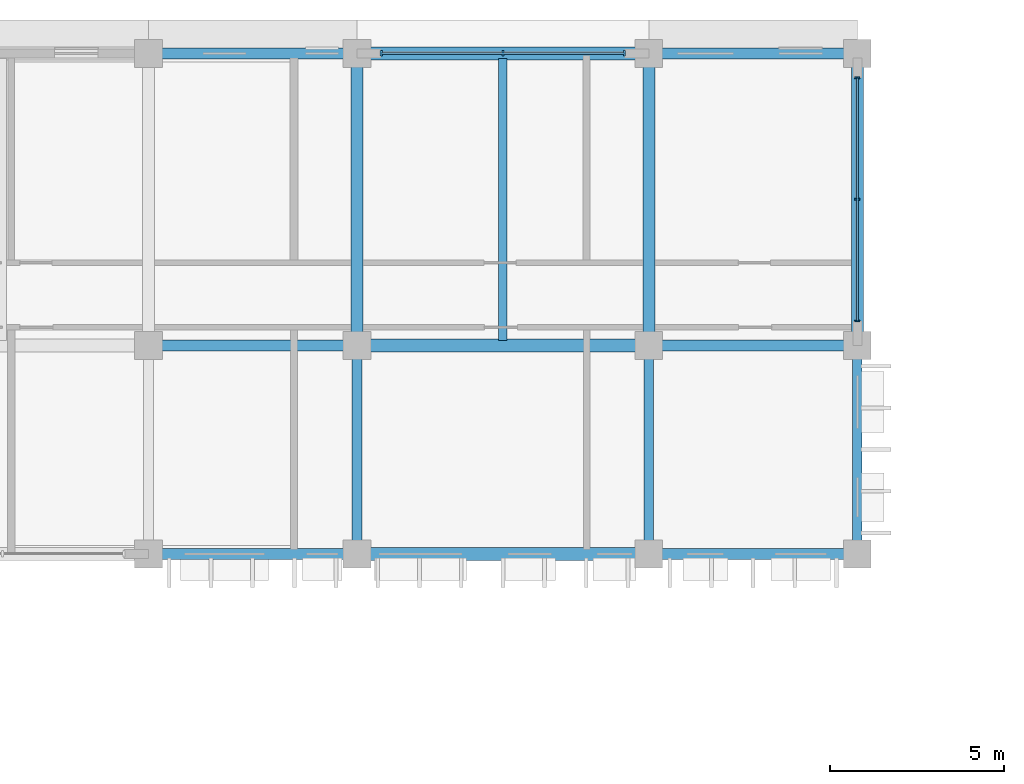
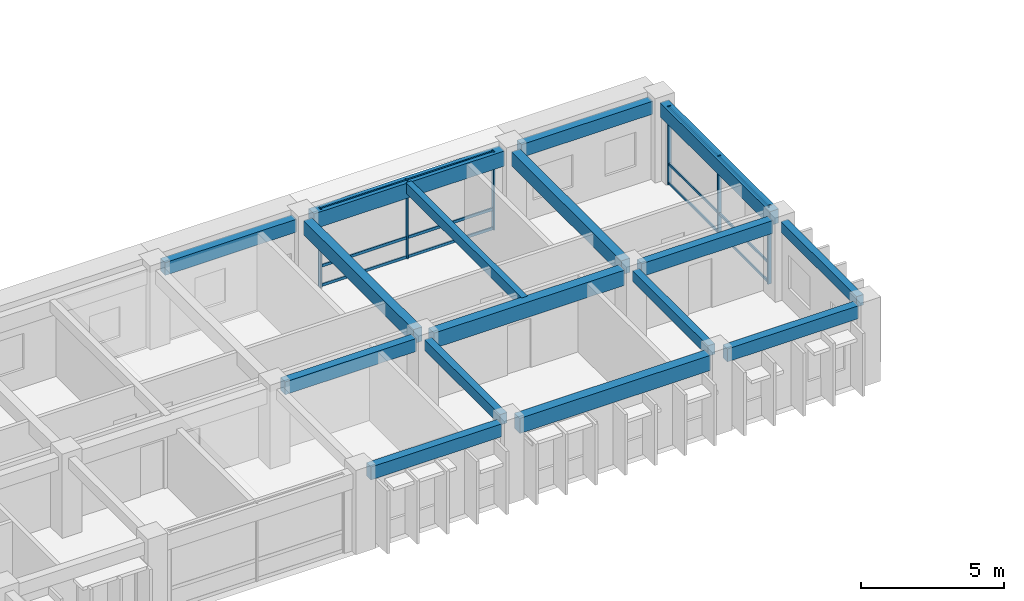
# One storey, part 27 of 88: 16 beams, 12 members, 2 elements without a shape of their own.
"""IFC4 building model written with IfcOpenShell, lengths in metres."""

from ifc_helpers import new_model, si_unit, direction, frame, origin, origin_2d, place, context, subcontext, project, spatial, rectangle, extrude, material, material_profile, profile_set, type_object, element, aggregate, save


model = new_model("IFC4")

# Units and contexts
model_context = context("Model", 3, precision=1e-05, world=origin(), true_north=direction((0.0, 1.0)))
body_context = subcontext(model_context, "Body", "Model", "MODEL_VIEW")
ifc_project = project(units=[si_unit("LENGTHUNIT", "METRE"), si_unit("AREAUNIT", "SQUARE_METRE"), si_unit("VOLUMEUNIT", "CUBIC_METRE"), si_unit("PLANEANGLEUNIT", "RADIAN"), si_unit("MASSUNIT", "GRAM", prefix="KILO"), si_unit("THERMODYNAMICTEMPERATUREUNIT", "KELVIN")], contexts=[model_context])

# Site, building, storey
site_placement = place(None, origin())
site = spatial("IfcSite", under=ifc_project, at=site_placement, CompositionType="ELEMENT")
building_placement = place(site_placement, origin())
building = spatial("IfcBuilding", under=site, at=building_placement, Name="Thalorik Housing Commons", CompositionType="ELEMENT")
storey_placement = place(building_placement, frame((0.0, 0.0, 4.5)))
storey = spatial("IfcBuildingStorey", under=building, at=storey_placement, Name="L01", CompositionType="ELEMENT", Elevation=4.5)

# Curtain wall, members
ifc_material_1 = material(Name="Anodised aluminium and solar-control low-E glass", Category="aluminium")
curtain_wall_type = type_object("IfcCurtainWallType", Name="ARC-CW-LOUNGE", PredefinedType="USERDEFINED", material=ifc_material_1)
curtain_wall_1_placement = place(storey_placement, origin())
curtain_wall_1 = element("IfcCurtainWall", 1, at=curtain_wall_1_placement, inside=storey, type_object=curtain_wall_type, Name="L01 Curtain Wall CW-RES-L01-A-002", ObjectType="CURTAIN WALL", PredefinedType="USERDEFINED")
ifc_material_2 = material(Name="Anodised aluminium 6063-T6", Category="aluminium")
ifc_material_profile_1 = material_profile(ifc_material_2, rectangle(XDim=0.054931640625, YDim=0.139892578125, at=origin_2d()), Name="ALU MUL 55x140", Category="aluminium")
ifc_profile_set_1 = profile_set([ifc_material_profile_1], Name="Anodised aluminium 6063-T6")
member_type_1 = type_object("IfcMemberType", Name="ARC-CW-MUL-55x140", PredefinedType="MULLION", material=ifc_profile_set_1)
member_1_placement = place(storey_placement, frame((57.60009765625, 115.89990234375, 0.0), z_axis=(0.0, 0.0, 1.0), x_axis=(0.0, 1.0, 0.0)))
member_1 = element("IfcMember", 2, at=member_1_placement, type_object=member_type_1, Name="CW-RES-L01-A-002 Mullion 1", PredefinedType="MULLION", context=body_context, shape_type="SweptSolid", body=[
    extrude(rectangle(XDim=0.054931640625, YDim=0.139892578125, at=origin_2d()), origin(), (0.0, 0.0, 1.0), 3.340087890625),
])
member_2_placement = place(storey_placement, frame((57.60009765625, 119.39990234375, 0.0), z_axis=(0.0, 0.0, 1.0), x_axis=(0.0, 1.0, 0.0)))
member_2 = element("IfcMember", 3, at=member_2_placement, type_object=member_type_1, Name="CW-RES-L01-A-002 Mullion 2", PredefinedType="MULLION", context=body_context, shape_type="SweptSolid", body=[
    extrude(rectangle(XDim=0.054931640625, YDim=0.139892578125, at=origin_2d()), origin(), (0.0, 0.0, 1.0), 3.340087890625),
])
member_3_placement = place(storey_placement, frame((57.60009765625, 122.89990234375, 0.0), z_axis=(0.0, 0.0, 1.0), x_axis=(0.0, 1.0, 0.0)))
member_3 = element("IfcMember", 4, at=member_3_placement, type_object=member_type_1, Name="CW-RES-L01-A-002 Mullion 3", PredefinedType="MULLION", context=body_context, shape_type="SweptSolid", body=[
    extrude(rectangle(XDim=0.054931640625, YDim=0.139892578125, at=origin_2d()), origin(), (0.0, 0.0, 1.0), 3.340087890625),
])

curtain_wall_2_placement = place(storey_placement, origin())
curtain_wall_2 = element("IfcCurtainWall", 5, at=curtain_wall_2_placement, inside=storey, type_object=curtain_wall_type, Name="L01 Curtain Wall CW-RES-L01-A-003", ObjectType="CURTAIN WALL", PredefinedType="USERDEFINED")
ifc_material_profile_2 = material_profile(ifc_material_2, rectangle(XDim=0.06005859375, YDim=0.159912109375, at=origin_2d()), Name="ALU MUL 60x160", Category="aluminium")
ifc_profile_set_2 = profile_set([ifc_material_profile_2], Name="Anodised aluminium 6063-T6")
member_type_2 = type_object("IfcMemberType", Name="ARC-CW-MUL-60x160", PredefinedType="MULLION", material=ifc_profile_set_2)
member_4_placement = place(storey_placement, frame((50.89990234375, 123.60009765625, 0.0), z_axis=(0.0, 0.0, 1.0), x_axis=(-1.0, 0.0, 0.0)))
member_4 = element("IfcMember", 6, at=member_4_placement, type_object=member_type_2, Name="CW-RES-L01-A-003 Mullion 1", PredefinedType="MULLION", context=body_context, shape_type="SweptSolid", body=[
    extrude(rectangle(XDim=0.06005859375, YDim=0.159912109375, at=origin_2d()), origin(), (0.0, 0.0, 1.0), 3.340087890625),
])
member_5_placement = place(storey_placement, frame((47.39990234375, 123.60009765625, 0.0), z_axis=(0.0, 0.0, 1.0), x_axis=(-1.0, 0.0, 0.0)))
member_5 = element("IfcMember", 7, at=member_5_placement, type_object=member_type_2, Name="CW-RES-L01-A-003 Mullion 2", PredefinedType="MULLION", context=body_context, shape_type="SweptSolid", body=[
    extrude(rectangle(XDim=0.06005859375, YDim=0.159912109375, at=origin_2d()), origin(), (0.0, 0.0, 1.0), 3.340087890625),
])
member_6_placement = place(storey_placement, frame((43.89990234375, 123.60009765625, 0.0), z_axis=(0.0, 0.0, 1.0), x_axis=(-1.0, 0.0, 0.0)))
member_6 = element("IfcMember", 8, at=member_6_placement, type_object=member_type_2, Name="CW-RES-L01-A-003 Mullion 3", PredefinedType="MULLION", context=body_context, shape_type="SweptSolid", body=[
    extrude(rectangle(XDim=0.06005859375, YDim=0.159912109375, at=origin_2d()), origin(), (0.0, 0.0, 1.0), 3.340087890625),
])

# Member
ifc_material_profile_3 = material_profile(ifc_material_2, rectangle(XDim=0.054931640625, YDim=0.10498046875, at=origin_2d()), Name="ALU TRN 55x105", Category="aluminium")
ifc_profile_set_3 = profile_set([ifc_material_profile_3], Name="Anodised aluminium 6063-T6")
member_type_3 = type_object("IfcMemberType", Name="ARC-CW-TRN-55x105", PredefinedType="USERDEFINED", material=ifc_profile_set_3)
member_7_placement = place(storey_placement, frame((57.60009765625, 115.89990234375, 0.054931640625), z_axis=(0.0, 1.0, 0.0), x_axis=(-1.0, 0.0, 0.0)))
member_7 = element("IfcMember", 9, at=member_7_placement, type_object=member_type_3, Name="CW-RES-L01-A-002 Transom 1", ObjectType="TRANSOM", PredefinedType="USERDEFINED", context=body_context, shape_type="SweptSolid", body=[
    extrude(rectangle(XDim=0.054931640625, YDim=0.10498046875, at=origin_2d()), origin(), (0.0, 0.0, 1.0), 7.0),
])

member_8_placement = place(storey_placement, frame((57.60009765625, 115.89990234375, 0.8798828125), z_axis=(0.0, 1.0, 0.0), x_axis=(-1.0, 0.0, 0.0)))
member_8 = element("IfcMember", 10, at=member_8_placement, type_object=member_type_3, Name="CW-RES-L01-A-002 Transom 2", ObjectType="TRANSOM", PredefinedType="USERDEFINED", context=body_context, shape_type="SweptSolid", body=[
    extrude(rectangle(XDim=0.054931640625, YDim=0.10498046875, at=origin_2d()), origin(), (0.0, 0.0, 1.0), 7.0),
])

member_9_placement = place(storey_placement, frame((57.60009765625, 115.89990234375, 3.284912109375), z_axis=(0.0, 1.0, 0.0), x_axis=(-1.0, 0.0, 0.0)))
member_9 = element("IfcMember", 11, at=member_9_placement, type_object=member_type_3, Name="CW-RES-L01-A-002 Transom 3", ObjectType="TRANSOM", PredefinedType="USERDEFINED", context=body_context, shape_type="SweptSolid", body=[
    extrude(rectangle(XDim=0.054931640625, YDim=0.10498046875, at=origin_2d()), origin(), (0.0, 0.0, 1.0), 7.0),
])

aggregate(curtain_wall_1, [member_1, member_2, member_3, member_7, member_8, member_9])

ifc_material_profile_4 = material_profile(ifc_material_2, rectangle(XDim=0.06005859375, YDim=0.1201171875, at=origin_2d()), Name="ALU TRN 60x120", Category="aluminium")
ifc_profile_set_4 = profile_set([ifc_material_profile_4], Name="Anodised aluminium 6063-T6")
member_type_4 = type_object("IfcMemberType", Name="ARC-CW-TRN-60x120", PredefinedType="USERDEFINED", material=ifc_profile_set_4)
member_10_placement = place(storey_placement, frame((50.89990234375, 123.60009765625, 0.054931640625), z_axis=(-1.0, 0.0, 0.0), x_axis=(0.0, -1.0, 0.0)))
member_10 = element("IfcMember", 12, at=member_10_placement, type_object=member_type_4, Name="CW-RES-L01-A-003 Transom 1", ObjectType="TRANSOM", PredefinedType="USERDEFINED", context=body_context, shape_type="SweptSolid", body=[
    extrude(rectangle(XDim=0.06005859375, YDim=0.1201171875, at=origin_2d()), origin(), (0.0, 0.0, 1.0), 7.0),
])

member_11_placement = place(storey_placement, frame((50.89990234375, 123.60009765625, 0.8798828125), z_axis=(-1.0, 0.0, 0.0), x_axis=(0.0, -1.0, 0.0)))
member_11 = element("IfcMember", 13, at=member_11_placement, type_object=member_type_4, Name="CW-RES-L01-A-003 Transom 2", ObjectType="TRANSOM", PredefinedType="USERDEFINED", context=body_context, shape_type="SweptSolid", body=[
    extrude(rectangle(XDim=0.06005859375, YDim=0.1201171875, at=origin_2d()), origin(), (0.0, 0.0, 1.0), 7.0),
])

member_12_placement = place(storey_placement, frame((50.89990234375, 123.60009765625, 3.284912109375), z_axis=(-1.0, 0.0, 0.0), x_axis=(0.0, -1.0, 0.0)))
member_12 = element("IfcMember", 14, at=member_12_placement, type_object=member_type_4, Name="CW-RES-L01-A-003 Transom 3", ObjectType="TRANSOM", PredefinedType="USERDEFINED", context=body_context, shape_type="SweptSolid", body=[
    extrude(rectangle(XDim=0.06005859375, YDim=0.1201171875, at=origin_2d()), origin(), (0.0, 0.0, 1.0), 7.0),
])

aggregate(curtain_wall_2, [member_4, member_5, member_6, member_10, member_11, member_12])

# Beams
ifc_material_3 = material(Name="Precast concrete C40/50", Category="concrete")
ifc_material_profile_5 = material_profile(ifc_material_3, rectangle(XDim=0.280029296875, YDim=0.449951171875, at=origin_2d()), Name="PC 280x450", Category="concrete")
ifc_profile_set_5 = profile_set([ifc_material_profile_5], Name="Precast concrete C40/50")
beam_type_1 = type_object("IfcBeamType", Name="STR-BM-PC280x450", PredefinedType="BEAM", material=ifc_profile_set_5)
for number, where, z_axis, x_axis, name in (
    (15, (43.199951171875, 109.550048828125, 3.114990234375), (0.0, 1.0, 0.0), (-1.0, 0.0, 0.0), "L01 Beam B-450"),
    (16, (51.60009765625, 109.550048828125, 3.114990234375), (0.0, 1.0, 0.0), (-1.0, 0.0, 0.0), "L01 Beam B-450"),
    (17, (57.60009765625, 109.550048828125, 3.114990234375), (0.0, 1.0, 0.0), (-1.0, 0.0, 0.0), "L01 Beam B-450"),
):
    element("IfcBeam", number, at=place(storey_placement, frame(where, z_axis=z_axis, x_axis=x_axis)), inside=storey, type_object=beam_type_1, Name=name, PredefinedType="BEAM", context=body_context, shape_type="SweptSolid", body=[
        extrude(rectangle(XDim=0.280029296875, YDim=0.449951171875, at=origin_2d()), origin(), (0.0, 0.0, 1.0), 5.300048828125),
    ])
ifc_material_profile_6 = material_profile(ifc_material_3, rectangle(XDim=0.320068359375, YDim=0.550048828125, at=origin_2d()), Name="PC 320x550", Category="concrete")
ifc_profile_set_6 = profile_set([ifc_material_profile_6], Name="Precast concrete C40/50")
beam_type_2 = type_object("IfcBeamType", Name="STR-BM-PC320x550", PredefinedType="BEAM", material=ifc_profile_set_6)
for number, where, z_axis, x_axis, name in (
    (18, (37.550048828125, 109.199951171875, 3.06494140625), (1.0, 0.0, 0.0), (0.0, 1.0, 0.0), "L01 Beam B-550"),
    (19, (51.949951171875, 109.199951171875, 3.06494140625), (1.0, 0.0, 0.0), (0.0, 1.0, 0.0), "L01 Beam B-550"),
    (20, (37.550048828125, 115.199951171875, 3.06494140625), (1.0, 0.0, 0.0), (0.0, 1.0, 0.0), "L01 Beam B-550"),
    (21, (51.949951171875, 115.199951171875, 3.06494140625), (1.0, 0.0, 0.0), (0.0, 1.0, 0.0), "L01 Beam B-550"),
    (22, (37.550048828125, 123.60009765625, 3.06494140625), (1.0, 0.0, 0.0), (0.0, 1.0, 0.0), "L01 Beam B-550"),
    (23, (51.949951171875, 123.60009765625, 3.06494140625), (1.0, 0.0, 0.0), (0.0, 1.0, 0.0), "L01 Beam B-550"),
):
    element("IfcBeam", number, at=place(storey_placement, frame(where, z_axis=z_axis, x_axis=x_axis)), inside=storey, type_object=beam_type_2, Name=name, PredefinedType="BEAM", context=body_context, shape_type="SweptSolid", body=[
        extrude(rectangle(XDim=0.320068359375, YDim=0.550048828125, at=origin_2d()), origin(), (0.0, 0.0, 1.0), 5.300048828125),
    ])
ifc_material_profile_7 = material_profile(ifc_material_3, rectangle(XDim=0.35009765625, YDim=0.60009765625, at=origin_2d()), Name="PC 350x600", Category="concrete")
ifc_profile_set_7 = profile_set([ifc_material_profile_7], Name="Precast concrete C40/50")
beam_type_3 = type_object("IfcBeamType", Name="STR-BM-PC350x600", PredefinedType="BEAM", material=ifc_profile_set_7)
for number, where, z_axis, x_axis, name in (
    (24, (43.199951171875, 115.550048828125, 3.0400390625), (0.0, 1.0, 0.0), (-1.0, 0.0, 0.0), "L01 Beam B-600"),
    (25, (51.60009765625, 115.550048828125, 3.0400390625), (0.0, 1.0, 0.0), (-1.0, 0.0, 0.0), "L01 Beam B-600"),
    (26, (57.60009765625, 115.550048828125, 3.0400390625), (0.0, 1.0, 0.0), (-1.0, 0.0, 0.0), "L01 Beam B-600"),
):
    element("IfcBeam", number, at=place(storey_placement, frame(where, z_axis=z_axis, x_axis=x_axis)), inside=storey, type_object=beam_type_3, Name=name, PredefinedType="BEAM", context=body_context, shape_type="SweptSolid", body=[
        extrude(rectangle(XDim=0.35009765625, YDim=0.60009765625, at=origin_2d()), origin(), (0.0, 0.0, 1.0), 7.699951171875),
    ])
ifc_material_profile_8 = material_profile(ifc_material_3, rectangle(XDim=0.3798828125, YDim=0.64990234375, at=origin_2d()), Name="PC 380x650", Category="concrete")
ifc_profile_set_8 = profile_set([ifc_material_profile_8], Name="Precast concrete C40/50")
beam_type_4 = type_object("IfcBeamType", Name="STR-BM-PC380x650", PredefinedType="BEAM", material=ifc_profile_set_8)
for number, where, z_axis, x_axis, name in (
    (27, (43.550048828125, 109.199951171875, 3.014892578125), (1.0, 0.0, 0.0), (0.0, 1.0, 0.0), "L01 Beam B-650"),
    (28, (43.550048828125, 115.199951171875, 3.014892578125), (1.0, 0.0, 0.0), (0.0, 1.0, 0.0), "L01 Beam B-650"),
    (29, (43.550048828125, 123.60009765625, 3.014892578125), (1.0, 0.0, 0.0), (0.0, 1.0, 0.0), "L01 Beam B-650"),
):
    element("IfcBeam", number, at=place(storey_placement, frame(where, z_axis=z_axis, x_axis=x_axis)), inside=storey, type_object=beam_type_4, Name=name, PredefinedType="BEAM", context=body_context, shape_type="SweptSolid", body=[
        extrude(rectangle(XDim=0.3798828125, YDim=0.64990234375, at=origin_2d()), origin(), (0.0, 0.0, 1.0), 7.699951171875),
    ])
ifc_material_profile_9 = material_profile(ifc_material_3, rectangle(XDim=0.239990234375, YDim=0.43994140625, at=origin_2d()), Name="PC JST 240x440", Category="concrete")
ifc_profile_set_9 = profile_set([ifc_material_profile_9], Name="Precast concrete C40/50")
beam_type_5 = type_object("IfcBeamType", Name="STR-JST-PC240x440", PredefinedType="JOIST", material=ifc_profile_set_9)
beam_placement = place(storey_placement, frame((47.39990234375, 115.340087890625, 3.1201171875), z_axis=(0.0, 1.0, 0.0), x_axis=(-1.0, 0.0, 0.0)))
element("IfcBeam", 30, at=beam_placement, inside=storey, type_object=beam_type_5, Name="L01 Beam J-440", PredefinedType="JOIST", context=body_context, shape_type="SweptSolid", body=[
    extrude(rectangle(XDim=0.239990234375, YDim=0.43994140625, at=origin_2d()), origin(), (0.0, 0.0, 1.0), 8.119873046875),
])

save(model, "model.ifc")
